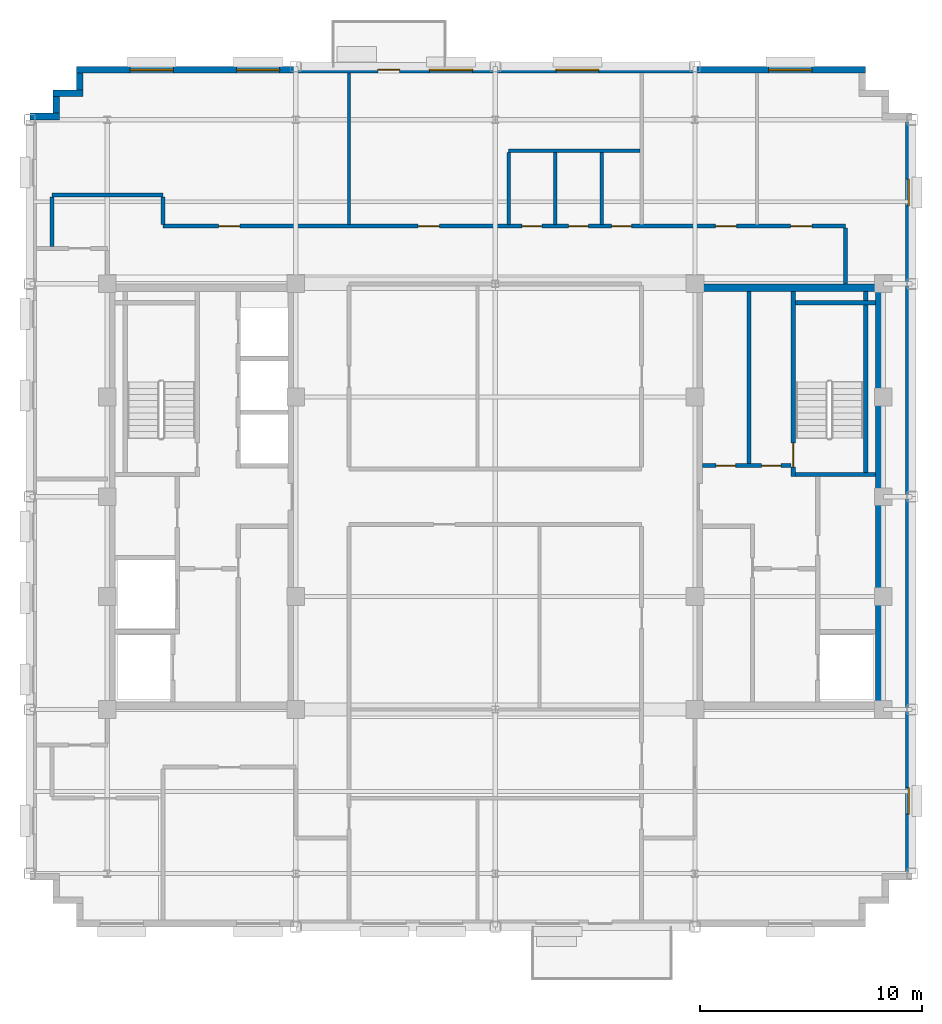
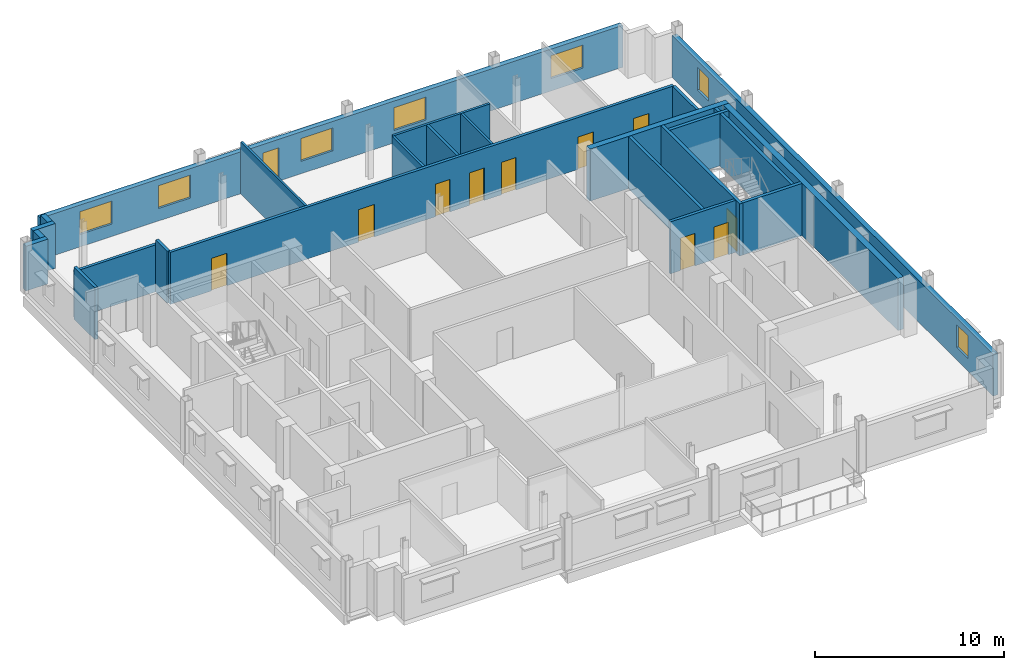
# One storey, part 8 of 13: 24 walls, 11 doors, 7 windows, 18 openings.
"""IFC4 building model written with IfcOpenShell, lengths in metres."""

from ifc_helpers import new_model, si_unit, direction, frame, frame_2d, origin, place, context, subcontext, project, spatial, rectangle, extrude, source, transform, mapped, material, layer, layer_set, type_object, type_shapes, element, fill, save


model = new_model("IFC4")

# Units and contexts
model_context = context("Model", 3, precision=1e-05, world=origin(), true_north=direction((0.0, 1.0)))
body_context = subcontext(model_context, "Body", "Model", "MODEL_VIEW")
ifc_project = project(units=[si_unit("LENGTHUNIT", "METRE"), si_unit("AREAUNIT", "SQUARE_METRE"), si_unit("VOLUMEUNIT", "CUBIC_METRE"), si_unit("PLANEANGLEUNIT", "RADIAN"), si_unit("MASSUNIT", "GRAM", prefix="KILO")], contexts=[model_context])

# Site, building, storey
site_placement = place(None, origin())
site = spatial("IfcSite", under=ifc_project, at=site_placement, CompositionType="ELEMENT")
building_placement = place(site_placement, origin())
building = spatial("IfcBuilding", under=site, at=building_placement, Name="Nuvemarco Arch Tower", CompositionType="ELEMENT")
storey_placement = place(building_placement, frame((0.0, 0.0, 279.85009765625)))
storey = spatial("IfcBuildingStorey", under=building, at=storey_placement, Name="L74", CompositionType="ELEMENT", Elevation=279.85009765625)

# Wall, openings, windows
ifc_material_1 = material(Name="Precast concrete C45/55", Category="concrete")
ifc_layer_1 = layer(ifc_material_1, 0.300048828125, Name="EW-HIGH-300")
ifc_layer_set_1 = layer_set([ifc_layer_1], Name="Precast concrete C45/55")
wall_type_1 = type_object("IfcWallType", Name="EW-HIGH-300", PredefinedType="STANDARD", material=ifc_layer_set_1)
wall_1_placement = place(storey_placement, frame((18.64990234375, -17.00390625, 0.0), z_axis=(0.0, 0.0, 1.0), x_axis=(0.0, 1.0, 0.0)))
wall_1 = element("IfcWall", 1, at=wall_1_placement, inside=storey, type_object=wall_type_1, Name="L74 exterior precast facade wall 6", PredefinedType="STANDARD", context=body_context, shape_type="SweptSolid", body=[
    extrude(rectangle(XDim=34.0078125, YDim=0.300048828125, at=frame_2d((17.00390625, 0.0))), origin(), (0.0, 0.0, 1.0), 2.704833984375),
])
opening_1_placement = place(wall_1_placement, frame((2.686279296875, 0.0, 0.800048828125)))
opening_1 = element("IfcOpeningElement", 2, at=opening_1_placement, cuts=wall_1, Name="Opening WN-8", PredefinedType="OPENING", context=body_context, shape_type="SweptSolid", body=[
    extrude(rectangle(XDim=1.199951171875, YDim=1.47998046875, at=frame_2d((0.60009765625, 0.739990234375))), frame((0.0, 0.159912109375, 0.0), z_axis=(0.0, -1.0, 0.0), x_axis=(1.0, 0.0, 0.0)), (0.0, 0.0, 1.0), 0.320068359375),
])
opening_2_placement = place(wall_1_placement, frame((30.12158203125, 0.0, 0.800048828125)))
opening_2 = element("IfcOpeningElement", 3, at=opening_2_placement, cuts=wall_1, Name="Opening WN-8", PredefinedType="OPENING", context=body_context, shape_type="SweptSolid", body=[
    extrude(rectangle(XDim=1.199951171875, YDim=1.47998046875, at=frame_2d((0.60009765625, 0.739990234375))), frame((0.0, 0.159912109375, 0.0), z_axis=(0.0, -1.0, 0.0), x_axis=(1.0, 0.0, 0.0)), (0.0, 0.0, 1.0), 0.320068359375),
])
ifc_material_2 = material(Name="Insulated solar-control glass", Category="glass")
window_type_1 = type_object("IfcWindowType", Name="WN-HIGH-1200x1480", PartitioningType="SINGLE_PANEL", PredefinedType="WINDOW", material=ifc_material_2)
shared_shape_1 = source(origin(), body_context, "Body", "SweptSolid", [
    extrude(rectangle(XDim=1.199951171875, YDim=1.47998046875, at=frame_2d((0.60009765625, 0.739990234375))), frame((0.0, 0.030029296875, 0.0), z_axis=(0.0, -1.0, 0.0), x_axis=(1.0, 0.0, 0.0)), (0.0, 0.0, 1.0), 0.06005859375),
])
type_shapes(window_type_1, [shared_shape_1])
window_1_placement = place(opening_1_placement, origin())
window_1 = element("IfcWindow", 4, at=window_1_placement, inside=storey, type_object=window_type_1, Name="L74 punched facade window 1", OverallHeight=1.47998046875, OverallWidth=1.199951171875, PartitioningType="SINGLE_PANEL", PredefinedType="WINDOW", context=body_context, shape_type="MappedRepresentation", body=[
    mapped(shared_shape_1, transform((0.0, 0.0, 0.0), scale=1.0)),
])
fill(opening_1, window_1)
window_2_placement = place(opening_2_placement, origin())
window_2 = element("IfcWindow", 5, at=window_2_placement, inside=storey, type_object=window_type_1, Name="L74 punched facade window 7", OverallHeight=1.47998046875, OverallWidth=1.199951171875, PartitioningType="SINGLE_PANEL", PredefinedType="WINDOW", context=body_context, shape_type="MappedRepresentation", body=[
    mapped(shared_shape_1, transform((0.0, 0.0, 0.0), scale=1.0)),
])
fill(opening_2, window_2)

# Wall, openings, door, windows
wall_2_placement = place(storey_placement, frame((-18.89990234375, 19.25, 0.0), z_axis=(0.0, 0.0, 1.0), x_axis=(1.0, 0.0, 0.0)))
wall_2 = element("IfcWall", 6, at=wall_2_placement, inside=storey, type_object=wall_type_1, Name="L74 exterior precast facade wall 11", PredefinedType="STANDARD", context=body_context, shape_type="SweptSolid", body=[
    extrude(rectangle(XDim=35.599853515625, YDim=0.300048828125, at=frame_2d((17.7998046875, 0.0))), origin(), (0.0, 0.0, 1.0), 2.704833984375),
])
opening_3_placement = place(wall_2_placement, frame((13.60009765625, 0.0, 0.0)))
opening_3 = element("IfcOpeningElement", 7, at=opening_3_placement, cuts=wall_2, Name="Opening ED-6", PredefinedType="OPENING", context=body_context, shape_type="SweptSolid", body=[
    extrude(rectangle(XDim=0.97998046875, YDim=2.14990234375, at=frame_2d((0.489990234375, 1.074951171875))), frame((0.0, 0.159912109375, 0.0), z_axis=(0.0, -1.0, 0.0), x_axis=(1.0, 0.0, 0.0)), (0.0, 0.0, 1.0), 0.320068359375),
])
opening_4_placement = place(wall_2_placement, frame((2.425048828125, 0.0, 0.800048828125)))
opening_4 = element("IfcOpeningElement", 8, at=opening_4_placement, cuts=wall_2, Name="Opening WN-7", PredefinedType="OPENING", context=body_context, shape_type="SweptSolid", body=[
    extrude(rectangle(XDim=1.949951171875, YDim=1.47998046875, at=frame_2d((0.97509765625, 0.739990234375))), frame((0.0, 0.159912109375, 0.0), z_axis=(0.0, -1.0, 0.0), x_axis=(1.0, 0.0, 0.0)), (0.0, 0.0, 1.0), 0.320068359375),
])
opening_5_placement = place(wall_2_placement, frame((7.22509765625, 0.0, 0.800048828125)))
opening_5 = element("IfcOpeningElement", 9, at=opening_5_placement, cuts=wall_2, Name="Opening WN-7", PredefinedType="OPENING", context=body_context, shape_type="SweptSolid", body=[
    extrude(rectangle(XDim=1.949951171875, YDim=1.47998046875, at=frame_2d((0.97509765625, 0.739990234375))), frame((0.0, 0.159912109375, 0.0), z_axis=(0.0, -1.0, 0.0), x_axis=(1.0, 0.0, 0.0)), (0.0, 0.0, 1.0), 0.320068359375),
])
opening_6_placement = place(wall_2_placement, frame((15.925048828125, 0.0, 0.800048828125)))
opening_6 = element("IfcOpeningElement", 10, at=opening_6_placement, cuts=wall_2, Name="Opening WN-7", PredefinedType="OPENING", context=body_context, shape_type="SweptSolid", body=[
    extrude(rectangle(XDim=1.949951171875, YDim=1.47998046875, at=frame_2d((0.97509765625, 0.739990234375))), frame((0.0, 0.159912109375, 0.0), z_axis=(0.0, -1.0, 0.0), x_axis=(1.0, 0.0, 0.0)), (0.0, 0.0, 1.0), 0.320068359375),
])
opening_7_placement = place(wall_2_placement, frame((21.625, 0.0, 0.800048828125)))
opening_7 = element("IfcOpeningElement", 11, at=opening_7_placement, cuts=wall_2, Name="Opening WN-7", PredefinedType="OPENING", context=body_context, shape_type="SweptSolid", body=[
    extrude(rectangle(XDim=1.949951171875, YDim=1.47998046875, at=frame_2d((0.97509765625, 0.739990234375))), frame((0.0, 0.159912109375, 0.0), z_axis=(0.0, -1.0, 0.0), x_axis=(1.0, 0.0, 0.0)), (0.0, 0.0, 1.0), 0.320068359375),
])
opening_8_placement = place(wall_2_placement, frame((31.22509765625, 0.0, 0.800048828125)))
opening_8 = element("IfcOpeningElement", 12, at=opening_8_placement, cuts=wall_2, Name="Opening WN-7", PredefinedType="OPENING", context=body_context, shape_type="SweptSolid", body=[
    extrude(rectangle(XDim=1.949951171875, YDim=1.47998046875, at=frame_2d((0.97509765625, 0.739990234375))), frame((0.0, 0.159912109375, 0.0), z_axis=(0.0, -1.0, 0.0), x_axis=(1.0, 0.0, 0.0)), (0.0, 0.0, 1.0), 0.320068359375),
])
ifc_material_3 = material(Name="Anodised bronze and laminated glass", Category="glass")
door_type_1 = type_object("IfcDoorType", Name="DR-EXT-BALC", OperationType="NOTDEFINED", PredefinedType="DOOR", material=ifc_material_3)
shared_shape_2 = source(origin(), body_context, "Body", "SweptSolid", [
    extrude(rectangle(XDim=0.97998046875, YDim=2.14990234375, at=frame_2d((0.489990234375, 1.074951171875))), frame((0.0, 0.02490234375, 0.0), z_axis=(0.0, -1.0, 0.0), x_axis=(1.0, 0.0, 0.0)), (0.0, 0.0, 1.0), 0.050048828125),
])
type_shapes(door_type_1, [shared_shape_2])
door_1_placement = place(opening_3_placement, origin())
door_1 = element("IfcDoor", 13, at=door_1_placement, inside=storey, type_object=door_type_1, Name="L74 tree balcony access door", OperationType="SINGLE_SWING_LEFT", OverallHeight=2.14990234375, OverallWidth=0.97998046875, PredefinedType="DOOR", context=body_context, shape_type="MappedRepresentation", body=[
    mapped(shared_shape_2, transform((0.0, 0.0, 0.0), scale=1.0)),
])
fill(opening_3, door_1)
window_type_2 = type_object("IfcWindowType", Name="WN-HIGH-1950x1480", PartitioningType="DOUBLE_PANEL_VERTICAL", PredefinedType="WINDOW", material=ifc_material_2)
shared_shape_3 = source(origin(), body_context, "Body", "SweptSolid", [
    extrude(rectangle(XDim=1.949951171875, YDim=1.47998046875, at=frame_2d((0.97509765625, 0.739990234375))), frame((0.0, 0.030029296875, 0.0), z_axis=(0.0, -1.0, 0.0), x_axis=(1.0, 0.0, 0.0)), (0.0, 0.0, 1.0), 0.06005859375),
])
type_shapes(window_type_2, [shared_shape_3])
window_3_placement = place(opening_4_placement, origin())
window_3 = element("IfcWindow", 14, at=window_3_placement, inside=storey, type_object=window_type_2, Name="L74 punched facade window 1", OverallHeight=1.47998046875, OverallWidth=1.949951171875, PartitioningType="SINGLE_PANEL", PredefinedType="WINDOW", context=body_context, shape_type="MappedRepresentation", body=[
    mapped(shared_shape_3, transform((0.0, 0.0, 0.0), scale=1.0)),
])
fill(opening_4, window_3)
window_4_placement = place(opening_5_placement, origin())
window_4 = element("IfcWindow", 15, at=window_4_placement, inside=storey, type_object=window_type_2, Name="L74 punched facade window 2", OverallHeight=1.47998046875, OverallWidth=1.949951171875, PartitioningType="SINGLE_PANEL", PredefinedType="WINDOW", context=body_context, shape_type="MappedRepresentation", body=[
    mapped(shared_shape_3, transform((0.0, 0.0, 0.0), scale=1.0)),
])
fill(opening_5, window_4)
window_5_placement = place(opening_6_placement, origin())
window_5 = element("IfcWindow", 16, at=window_5_placement, inside=storey, type_object=window_type_2, Name="L74 punched facade window 4", OverallHeight=1.47998046875, OverallWidth=1.949951171875, PartitioningType="SINGLE_PANEL", PredefinedType="WINDOW", context=body_context, shape_type="MappedRepresentation", body=[
    mapped(shared_shape_3, transform((0.0, 0.0, 0.0), scale=1.0)),
])
fill(opening_6, window_5)
window_6_placement = place(opening_7_placement, origin())
window_6 = element("IfcWindow", 17, at=window_6_placement, inside=storey, type_object=window_type_2, Name="L74 punched facade window 5", OverallHeight=1.47998046875, OverallWidth=1.949951171875, PartitioningType="SINGLE_PANEL", PredefinedType="WINDOW", context=body_context, shape_type="MappedRepresentation", body=[
    mapped(shared_shape_3, transform((0.0, 0.0, 0.0), scale=1.0)),
])
fill(opening_7, window_6)
window_7_placement = place(opening_8_placement, origin())
window_7 = element("IfcWindow", 18, at=window_7_placement, inside=storey, type_object=window_type_2, Name="L74 punched facade window 7", OverallHeight=1.47998046875, OverallWidth=1.949951171875, PartitioningType="SINGLE_PANEL", PredefinedType="WINDOW", context=body_context, shape_type="MappedRepresentation", body=[
    mapped(shared_shape_3, transform((0.0, 0.0, 0.0), scale=1.0)),
])
fill(opening_8, window_7)

# Walls
wall_3_placement = place(storey_placement, frame((-18.75, 18.345947265625, 0.0), z_axis=(0.0, 0.0, 1.0), x_axis=(0.0, 1.0, 0.0)))
element("IfcWall", 19, at=wall_3_placement, inside=storey, type_object=wall_type_1, Name="L74 exterior precast facade wall 12", PredefinedType="STANDARD", context=body_context, shape_type="SweptSolid", body=[
    extrude(rectangle(XDim=0.758056640625, YDim=0.300048828125, at=frame_2d((0.37890625, 0.0))), origin(), (0.0, 0.0, 1.0), 2.891845703125),
])
wall_4_placement = place(storey_placement, frame((-19.949951171875, 18.199951171875, 0.0), z_axis=(0.0, 0.0, 1.0), x_axis=(1.0, 0.0, 0.0)))
element("IfcWall", 20, at=wall_4_placement, inside=storey, type_object=wall_type_1, Name="L74 exterior precast facade wall 13", PredefinedType="STANDARD", context=body_context, shape_type="SweptSolid", body=[
    extrude(rectangle(XDim=1.349853515625, YDim=0.300048828125, at=frame_2d((0.6748046875, 0.0))), origin(), (0.0, 0.0, 1.0), 2.891845703125),
])
wall_5_placement = place(storey_placement, frame((-19.800048828125, 17.2958984375, 0.0), z_axis=(0.0, 0.0, 1.0), x_axis=(0.0, 1.0, 0.0)))
element("IfcWall", 21, at=wall_5_placement, inside=storey, type_object=wall_type_1, Name="L74 exterior precast facade wall 14", PredefinedType="STANDARD", context=body_context, shape_type="SweptSolid", body=[
    extrude(rectangle(XDim=0.758056640625, YDim=0.300048828125, at=frame_2d((0.37890625, 0.0))), origin(), (0.0, 0.0, 1.0), 2.891845703125),
])
wall_6_placement = place(storey_placement, frame((-21.0, 17.14990234375, 0.0), z_axis=(0.0, 0.0, 1.0), x_axis=(1.0, 0.0, 0.0)))
element("IfcWall", 22, at=wall_6_placement, inside=storey, type_object=wall_type_1, Name="L74 exterior precast facade wall 15", PredefinedType="STANDARD", context=body_context, shape_type="SweptSolid", body=[
    extrude(rectangle(XDim=1.35009765625, YDim=0.300048828125, at=frame_2d((0.675048828125, 0.0))), origin(), (0.0, 0.0, 1.0), 2.891845703125),
])
ifc_material_4 = material(Name="Concrete C50/60", Category="concrete")
ifc_layer_2 = layer(ifc_material_4, 0.35009765625, Name="WL-CORE-350")
ifc_layer_set_2 = layer_set([ifc_layer_2], Name="Concrete C50/60")
wall_type_2 = type_object("IfcWallType", Name="WL-CORE-350", PredefinedType="SHEAR", material=ifc_layer_set_2)
wall_7_placement = place(storey_placement, frame((9.0, 9.425048828125, 0.0), z_axis=(0.0, 0.0, 1.0), x_axis=(1.0, 0.0, 0.0)))
element("IfcWall", 23, at=wall_7_placement, inside=storey, type_object=wall_type_2, Name="L74 E-core shear wall N", PredefinedType="SHEAR", context=body_context, shape_type="SweptSolid", body=[
    extrude(rectangle(XDim=8.5, YDim=0.35009765625, at=frame_2d((4.25, 0.0))), origin(), (0.0, 0.0, 1.0), 3.369873046875),
])
wall_8_placement = place(storey_placement, frame((17.324951171875, -9.2548828125, 0.0), z_axis=(0.0, 0.0, 1.0), x_axis=(0.0, 1.0, 0.0)))
element("IfcWall", 24, at=wall_8_placement, inside=storey, type_object=wall_type_2, Name="L74 E-core shear wall E", PredefinedType="SHEAR", context=body_context, shape_type="SweptSolid", body=[
    extrude(rectangle(XDim=18.509765625, YDim=0.35009765625, at=frame_2d((9.2548828125, 0.0))), origin(), (0.0, 0.0, 1.0), 3.369873046875),
])

# Wall, openings, doors
ifc_material_5 = material(Name="Fire-rated gypsum drywall partition")
ifc_layer_3 = layer(ifc_material_5, 0.179931640625, Name="WL-CORR-180")
ifc_layer_set_3 = layer_set([ifc_layer_3], Name="Fire-rated gypsum drywall partition")
wall_type_3 = type_object("IfcWallType", Name="WL-CORR-180", PredefinedType="PARTITIONING", material=ifc_layer_set_3)
wall_9_placement = place(storey_placement, frame((9.344970703125, 1.39990234375, 0.0), z_axis=(0.0, 0.0, 1.0), x_axis=(1.0, 0.0, 0.0)))
wall_9 = element("IfcWall", 25, at=wall_9_placement, inside=storey, type_object=wall_type_3, Name="L74 interior wall IW-L74-EK-S", PredefinedType="PARTITIONING", context=body_context, shape_type="SweptSolid", body=[
    extrude(rectangle(XDim=4.0, YDim=0.179931640625, at=frame_2d((2.0, 0.0))), origin(), (0.0, 0.0, 1.0), 3.35986328125),
])
opening_9_placement = place(wall_9_placement, frame((0.614990234375, 0.0, 0.0)))
opening_9 = element("IfcOpeningElement", 26, at=opening_9_placement, cuts=wall_9, Name="Opening FD-4", PredefinedType="OPENING", context=body_context, shape_type="SweptSolid", body=[
    extrude(rectangle(XDim=0.8798828125, YDim=2.10009765625, at=frame_2d((0.43994140625, 1.050048828125))), frame((0.0, 0.099853515625, 0.0), z_axis=(0.0, -1.0, 0.0), x_axis=(1.0, 0.0, 0.0)), (0.0, 0.0, 1.0), 0.199951171875),
])
opening_10_placement = place(wall_9_placement, frame((2.6650390625, 0.0, 0.0)))
opening_10 = element("IfcOpeningElement", 27, at=opening_10_placement, cuts=wall_9, Name="Opening FD-4", PredefinedType="OPENING", context=body_context, shape_type="SweptSolid", body=[
    extrude(rectangle(XDim=0.8798828125, YDim=2.10009765625, at=frame_2d((0.43994140625, 1.050048828125))), frame((0.0, 0.099853515625, 0.0), z_axis=(0.0, -1.0, 0.0), x_axis=(1.0, 0.0, 0.0)), (0.0, 0.0, 1.0), 0.199951171875),
])
ifc_material_6 = material(Name="Anodised steel fire door", Category="steel")
door_type_2 = type_object("IfcDoorType", Name="DR-RISER-FD", OperationType="NOTDEFINED", PredefinedType="DOOR", material=ifc_material_6)
shared_shape_4 = source(origin(), body_context, "Body", "SweptSolid", [
    extrude(rectangle(XDim=0.8798828125, YDim=2.10009765625, at=frame_2d((0.43994140625, 1.050048828125))), frame((0.0, 0.02490234375, 0.0), z_axis=(0.0, -1.0, 0.0), x_axis=(1.0, 0.0, 0.0)), (0.0, 0.0, 1.0), 0.050048828125),
])
type_shapes(door_type_2, [shared_shape_4])
door_2_placement = place(opening_9_placement, origin())
door_2 = element("IfcDoor", 28, at=door_2_placement, inside=storey, type_object=door_type_2, Name="L74 door FD-L74-EK2A", OperationType="SINGLE_SWING_RIGHT", OverallHeight=2.10009765625, OverallWidth=0.8798828125, PredefinedType="DOOR", context=body_context, shape_type="MappedRepresentation", body=[
    mapped(shared_shape_4, transform((0.0, 0.0, 0.0), scale=1.0)),
])
fill(opening_9, door_2)
door_3_placement = place(opening_10_placement, origin())
door_3 = element("IfcDoor", 29, at=door_3_placement, inside=storey, type_object=door_type_2, Name="L74 door FD-L74-EK2B", OperationType="SINGLE_SWING_LEFT", OverallHeight=2.10009765625, OverallWidth=0.8798828125, PredefinedType="DOOR", context=body_context, shape_type="MappedRepresentation", body=[
    mapped(shared_shape_4, transform((0.0, 0.0, 0.0), scale=1.0)),
])
fill(opening_10, door_3)

# Wall
wall_10_placement = place(storey_placement, frame((11.449951171875, 1.489990234375, 0.0), z_axis=(0.0, 0.0, 1.0), x_axis=(0.0, 1.0, 0.0)))
element("IfcWall", 30, at=wall_10_placement, inside=storey, type_object=wall_type_3, Name="L74 interior wall IW-L74-EK2", PredefinedType="PARTITIONING", context=body_context, shape_type="SweptSolid", body=[
    extrude(rectangle(XDim=7.764892578125, YDim=0.179931640625, at=frame_2d((3.88232421875, 0.0))), origin(), (0.0, 0.0, 1.0), 3.35986328125),
])

# Wall, openings, doors
wall_11_placement = place(storey_placement, frame((-15.0, 12.199951171875, 0.0), z_axis=(0.0, 0.0, 1.0), x_axis=(1.0, 0.0, 0.0)))
wall_11 = element("IfcWall", 31, at=wall_11_placement, inside=storey, type_object=wall_type_3, Name="L74 interior wall IW-L74-015", PredefinedType="PARTITIONING", context=body_context, shape_type="SweptSolid", body=[
    extrude(rectangle(XDim=30.800048828125, YDim=0.179931640625, at=frame_2d((15.39990234375, 0.0))), origin(), (0.0, 0.0, 1.0), 3.35986328125),
])
opening_11_placement = place(wall_11_placement, frame((11.52001953125, 0.0, 0.0)))
opening_11 = element("IfcOpeningElement", 32, at=opening_11_placement, cuts=wall_11, Name="Opening FD-5", PredefinedType="OPENING", context=body_context, shape_type="SweptSolid", body=[
    extrude(rectangle(XDim=0.9599609375, YDim=2.10009765625, at=frame_2d((0.47998046875, 1.050048828125))), frame((0.0, 0.099853515625, 0.0), z_axis=(0.0, -1.0, 0.0), x_axis=(1.0, 0.0, 0.0)), (0.0, 0.0, 1.0), 0.199951171875),
])
opening_12_placement = place(wall_11_placement, frame((2.52001953125, 0.0, 0.0)))
opening_12 = element("IfcOpeningElement", 33, at=opening_12_placement, cuts=wall_11, Name="Opening FD-5", PredefinedType="OPENING", context=body_context, shape_type="SweptSolid", body=[
    extrude(rectangle(XDim=0.9599609375, YDim=2.10009765625, at=frame_2d((0.47998046875, 1.050048828125))), frame((0.0, 0.099853515625, 0.0), z_axis=(0.0, -1.0, 0.0), x_axis=(1.0, 0.0, 0.0)), (0.0, 0.0, 1.0), 0.199951171875),
])
opening_13_placement = place(wall_11_placement, frame((28.320068359375, 0.0, 0.0)))
opening_13 = element("IfcOpeningElement", 34, at=opening_13_placement, cuts=wall_11, Name="Opening FD-5", PredefinedType="OPENING", context=body_context, shape_type="SweptSolid", body=[
    extrude(rectangle(XDim=0.9599609375, YDim=2.10009765625, at=frame_2d((0.47998046875, 1.050048828125))), frame((0.0, 0.099853515625, 0.0), z_axis=(0.0, -1.0, 0.0), x_axis=(1.0, 0.0, 0.0)), (0.0, 0.0, 1.0), 0.199951171875),
])
opening_14_placement = place(wall_11_placement, frame((24.919921875, 0.0, 0.0)))
opening_14 = element("IfcOpeningElement", 35, at=opening_14_placement, cuts=wall_11, Name="Opening FD-5", PredefinedType="OPENING", context=body_context, shape_type="SweptSolid", body=[
    extrude(rectangle(XDim=0.9599609375, YDim=2.10009765625, at=frame_2d((0.47998046875, 1.050048828125))), frame((0.0, 0.099853515625, 0.0), z_axis=(0.0, -1.0, 0.0), x_axis=(1.0, 0.0, 0.0)), (0.0, 0.0, 1.0), 0.199951171875),
])
opening_15_placement = place(wall_11_placement, frame((16.199951171875, 0.0, 0.0)))
opening_15 = element("IfcOpeningElement", 36, at=opening_15_placement, cuts=wall_11, Name="Opening ID-3", PredefinedType="OPENING", context=body_context, shape_type="SweptSolid", body=[
    extrude(rectangle(XDim=0.89990234375, YDim=2.10009765625, at=frame_2d((0.449951171875, 1.050048828125))), frame((0.0, 0.099853515625, 0.0), z_axis=(0.0, -1.0, 0.0), x_axis=(1.0, 0.0, 0.0)), (0.0, 0.0, 1.0), 0.199951171875),
])
opening_16_placement = place(wall_11_placement, frame((18.300048828125, 0.0, 0.0)))
opening_16 = element("IfcOpeningElement", 37, at=opening_16_placement, cuts=wall_11, Name="Opening ID-3", PredefinedType="OPENING", context=body_context, shape_type="SweptSolid", body=[
    extrude(rectangle(XDim=0.89990234375, YDim=2.10009765625, at=frame_2d((0.449951171875, 1.050048828125))), frame((0.0, 0.099853515625, 0.0), z_axis=(0.0, -1.0, 0.0), x_axis=(1.0, 0.0, 0.0)), (0.0, 0.0, 1.0), 0.199951171875),
])
opening_17_placement = place(wall_11_placement, frame((20.25, 0.0, 0.0)))
opening_17 = element("IfcOpeningElement", 38, at=opening_17_placement, cuts=wall_11, Name="Opening ID-3", PredefinedType="OPENING", context=body_context, shape_type="SweptSolid", body=[
    extrude(rectangle(XDim=0.89990234375, YDim=2.10009765625, at=frame_2d((0.449951171875, 1.050048828125))), frame((0.0, 0.099853515625, 0.0), z_axis=(0.0, -1.0, 0.0), x_axis=(1.0, 0.0, 0.0)), (0.0, 0.0, 1.0), 0.199951171875),
])
ifc_material_7 = material(Name="Timber fire door", Category="wood")
door_type_3 = type_object("IfcDoorType", Name="DR-CORR-FD", OperationType="NOTDEFINED", PredefinedType="DOOR", material=ifc_material_7)
shared_shape_5 = source(origin(), body_context, "Body", "SweptSolid", [
    extrude(rectangle(XDim=0.9599609375, YDim=2.10009765625, at=frame_2d((0.47998046875, 1.050048828125))), frame((0.0, 0.02490234375, 0.0), z_axis=(0.0, -1.0, 0.0), x_axis=(1.0, 0.0, 0.0)), (0.0, 0.0, 1.0), 0.050048828125),
])
type_shapes(door_type_3, [shared_shape_5])
door_4_placement = place(opening_11_placement, origin())
door_4 = element("IfcDoor", 39, at=door_4_placement, inside=storey, type_object=door_type_3, Name="L74 door DR-L74-N_2", OperationType="SINGLE_SWING_RIGHT", OverallHeight=2.10009765625, OverallWidth=0.9599609375, PredefinedType="DOOR", context=body_context, shape_type="MappedRepresentation", body=[
    mapped(shared_shape_5, transform((0.0, 0.0, 0.0), scale=1.0)),
])
fill(opening_11, door_4)
door_5_placement = place(opening_12_placement, origin())
door_5 = element("IfcDoor", 40, at=door_5_placement, inside=storey, type_object=door_type_3, Name="L74 door DR-L74-N_1", OperationType="SINGLE_SWING_LEFT", OverallHeight=2.10009765625, OverallWidth=0.9599609375, PredefinedType="DOOR", context=body_context, shape_type="MappedRepresentation", body=[
    mapped(shared_shape_5, transform((0.0, 0.0, 0.0), scale=1.0)),
])
fill(opening_12, door_5)
door_6_placement = place(opening_13_placement, origin())
door_6 = element("IfcDoor", 41, at=door_6_placement, inside=storey, type_object=door_type_3, Name="L74 door DR-L74-N_4", OperationType="SINGLE_SWING_LEFT", OverallHeight=2.10009765625, OverallWidth=0.9599609375, PredefinedType="DOOR", context=body_context, shape_type="MappedRepresentation", body=[
    mapped(shared_shape_5, transform((0.0, 0.0, 0.0), scale=1.0)),
])
fill(opening_13, door_6)
door_7_placement = place(opening_14_placement, origin())
door_7 = element("IfcDoor", 42, at=door_7_placement, inside=storey, type_object=door_type_3, Name="L74 door DR-L74-N_3", OperationType="SINGLE_SWING_LEFT", OverallHeight=2.10009765625, OverallWidth=0.9599609375, PredefinedType="DOOR", context=body_context, shape_type="MappedRepresentation", body=[
    mapped(shared_shape_5, transform((0.0, 0.0, 0.0), scale=1.0)),
])
fill(opening_14, door_7)
ifc_material_8 = material(Name="Veneered oak timber fire door", Category="wood")
door_type_4 = type_object("IfcDoorType", Name="DR-WC-ACC", OperationType="NOTDEFINED", PredefinedType="DOOR", material=ifc_material_8)
shared_shape_6 = source(origin(), body_context, "Body", "SweptSolid", [
    extrude(rectangle(XDim=0.89990234375, YDim=2.10009765625, at=frame_2d((0.449951171875, 1.050048828125))), frame((0.0, 0.02490234375, 0.0), z_axis=(0.0, -1.0, 0.0), x_axis=(1.0, 0.0, 0.0)), (0.0, 0.0, 1.0), 0.050048828125),
])
type_shapes(door_type_4, [shared_shape_6])
door_8_placement = place(opening_15_placement, origin())
door_8 = element("IfcDoor", 43, at=door_8_placement, inside=storey, type_object=door_type_4, Name="L74 door DR-L74-WC_M", OperationType="SINGLE_SWING_RIGHT", OverallHeight=2.10009765625, OverallWidth=0.89990234375, PredefinedType="DOOR", context=body_context, shape_type="MappedRepresentation", body=[
    mapped(shared_shape_6, transform((0.0, 0.0, 0.0), scale=1.0)),
])
fill(opening_15, door_8)
door_9_placement = place(opening_16_placement, origin())
door_9 = element("IfcDoor", 44, at=door_9_placement, inside=storey, type_object=door_type_4, Name="L74 door DR-L74-WC_F", OperationType="SINGLE_SWING_LEFT", OverallHeight=2.10009765625, OverallWidth=0.89990234375, PredefinedType="DOOR", context=body_context, shape_type="MappedRepresentation", body=[
    mapped(shared_shape_6, transform((0.0, 0.0, 0.0), scale=1.0)),
])
fill(opening_16, door_9)
door_10_placement = place(opening_17_placement, origin())
door_10 = element("IfcDoor", 45, at=door_10_placement, inside=storey, type_object=door_type_4, Name="L74 door DR-L74-WC_ACC", OperationType="SINGLE_SWING_RIGHT", OverallHeight=2.10009765625, OverallWidth=0.89990234375, PredefinedType="DOOR", context=body_context, shape_type="MappedRepresentation", body=[
    mapped(shared_shape_6, transform((0.0, 0.0, 0.0), scale=1.0)),
])
fill(opening_17, door_10)

# Walls
wall_12_placement = place(storey_placement, frame((-20.0, 13.60009765625, 0.0), z_axis=(0.0, 0.0, 1.0), x_axis=(1.0, 0.0, 0.0)))
element("IfcWall", 46, at=wall_12_placement, inside=storey, type_object=wall_type_3, Name="L74 interior wall IW-L74-016", PredefinedType="PARTITIONING", context=body_context, shape_type="SweptSolid", body=[
    extrude(rectangle(XDim=5.0, YDim=0.179931640625, at=frame_2d((2.5, 0.0))), origin(), (0.0, 0.0, 1.0), 3.037841796875),
])
wall_13_placement = place(storey_placement, frame((-20.0, 11.285888671875, 0.0), z_axis=(0.0, 0.0, 1.0), x_axis=(0.0, 1.0, 0.0)))
element("IfcWall", 47, at=wall_13_placement, inside=storey, type_object=wall_type_3, Name="L74 interior wall IW-L74-019", PredefinedType="PARTITIONING", context=body_context, shape_type="SweptSolid", body=[
    extrude(rectangle(XDim=2.22802734375, YDim=0.179931640625, at=frame_2d((1.114013671875, 0.0))), origin(), (0.0, 0.0, 1.0), 3.35986328125),
])
wall_14_placement = place(storey_placement, frame((-15.0, 12.285888671875, 0.0), z_axis=(0.0, 0.0, 1.0), x_axis=(0.0, 1.0, 0.0)))
element("IfcWall", 48, at=wall_14_placement, inside=storey, type_object=wall_type_3, Name="L74 interior wall IW-L74-023", PredefinedType="PARTITIONING", context=body_context, shape_type="SweptSolid", body=[
    extrude(rectangle(XDim=1.22802734375, YDim=0.179931640625, at=frame_2d((0.614013671875, 0.0))), origin(), (0.0, 0.0, 1.0), 3.35986328125),
])
wall_15_placement = place(storey_placement, frame((15.800048828125, 9.60009765625, 0.0), z_axis=(0.0, 0.0, 1.0), x_axis=(0.0, 1.0, 0.0)))
element("IfcWall", 49, at=wall_15_placement, inside=storey, type_object=wall_type_3, Name="L74 interior wall IW-L74-039", PredefinedType="PARTITIONING", context=body_context, shape_type="SweptSolid", body=[
    extrude(rectangle(XDim=2.513916015625, YDim=0.179931640625, at=frame_2d((1.2568359375, 0.0))), origin(), (0.0, 0.0, 1.0), 3.35986328125),
])
ifc_material_9 = material(Name="Glazed acoustic office partition")
ifc_layer_4 = layer(ifc_material_9, 0.1298828125, Name="WL-EXEC-130")
ifc_layer_set_4 = layer_set([ifc_layer_4], Name="Glazed acoustic office partition")
wall_type_4 = type_object("IfcWallType", Name="WL-EXEC-130", PredefinedType="PARTITIONING", material=ifc_layer_set_4)
wall_16_placement = place(storey_placement, frame((-6.60009765625, 12.285888671875, 0.0), z_axis=(0.0, 0.0, 1.0), x_axis=(0.0, 1.0, 0.0)))
element("IfcWall", 50, at=wall_16_placement, inside=storey, type_object=wall_type_4, Name="L74 interior wall IW-L74-027", PredefinedType="PARTITIONING", context=body_context, shape_type="SweptSolid", body=[
    extrude(rectangle(XDim=6.814208984375, YDim=0.1298828125, at=frame_2d((3.4072265625, 0.0))), origin(), (0.0, 0.0, 1.0), 3.35986328125),
])

# Wall, opening, door
ifc_layer_5 = layer(ifc_material_4, 0.199951171875, Name="WL-SHAFT-220")
ifc_layer_set_5 = layer_set([ifc_layer_5], Name="Concrete C50/60")
wall_type_5 = type_object("IfcWallType", Name="WL-SHAFT-220", PredefinedType="SHEAR", material=ifc_layer_set_5)
wall_17_placement = place(storey_placement, frame((13.43994140625, 0.89990234375, 0.0), z_axis=(0.0, 0.0, 1.0), x_axis=(0.0, 1.0, 0.0)))
wall_17 = element("IfcWall", 51, at=wall_17_placement, inside=storey, type_object=wall_type_5, Name="L74 structural shaft wall SW-L74-E-ST2W", PredefinedType="SHEAR", context=body_context, shape_type="SweptSolid", body=[
    extrude(rectangle(XDim=8.35498046875, YDim=0.199951171875, at=frame_2d((4.177490234375, 0.0))), origin(), (0.0, 0.0, 1.0), 3.369873046875),
])
opening_18_placement = place(wall_17_placement, frame((0.429931640625, 0.0, 0.0)))
opening_18 = element("IfcOpeningElement", 52, at=opening_18_placement, cuts=wall_17, Name="Opening FD-1", PredefinedType="OPENING", context=body_context, shape_type="SweptSolid", body=[
    extrude(rectangle(XDim=1.10009765625, YDim=2.14990234375, at=frame_2d((0.550048828125, 1.074951171875))), frame((0.0, 0.10986328125, 0.0), z_axis=(0.0, -1.0, 0.0), x_axis=(1.0, 0.0, 0.0)), (0.0, 0.0, 1.0), 0.219970703125),
])
door_type_5 = type_object("IfcDoorType", Name="DR-STAIR-FD", OperationType="NOTDEFINED", PredefinedType="DOOR", material=ifc_material_6)
shared_shape_7 = source(origin(), body_context, "Body", "SweptSolid", [
    extrude(rectangle(XDim=1.10009765625, YDim=2.14990234375, at=frame_2d((0.550048828125, 1.074951171875))), frame((0.0, 0.02490234375, 0.0), z_axis=(0.0, -1.0, 0.0), x_axis=(1.0, 0.0, 0.0)), (0.0, 0.0, 1.0), 0.050048828125),
])
type_shapes(door_type_5, [shared_shape_7])
door_11_placement = place(opening_18_placement, origin())
door_11 = element("IfcDoor", 53, at=door_11_placement, inside=storey, type_object=door_type_5, Name="L74 door FD-L74-ST2", OperationType="SINGLE_SWING_LEFT", OverallHeight=2.14990234375, OverallWidth=1.10009765625, PredefinedType="DOOR", context=body_context, shape_type="MappedRepresentation", body=[
    mapped(shared_shape_7, transform((0.0, 0.0, 0.0), scale=1.0)),
])
fill(opening_18, door_11)

# Walls
for number, where, z_axis, x_axis, name in (
    (54, (13.534912109375, 1.0, 0.0), (0.0, 0.0, 1.0), (1.0, 0.0, 0.0), "L74 structural shaft wall SW-L74-E-ST2S"),
    (55, (13.534912109375, 8.75, 0.0), (0.0, 0.0, 1.0), (1.0, 0.0, 0.0), "L74 structural shaft wall SW-L74-E-ST2N"),
):
    element("IfcWall", number, at=place(storey_placement, frame(where, z_axis=z_axis, x_axis=x_axis)), inside=storey, type_object=wall_type_5, Name=name, PredefinedType="SHEAR", context=body_context, shape_type="SweptSolid", body=[
        extrude(rectangle(XDim=3.6201171875, YDim=0.199951171875, at=frame_2d((1.81005859375, 0.0))), origin(), (0.0, 0.0, 1.0), 3.369873046875),
    ])
wall_18_placement = place(storey_placement, frame((16.699951171875, 1.094970703125, 0.0), z_axis=(0.0, 0.0, 1.0), x_axis=(0.0, 1.0, 0.0)))
element("IfcWall", 56, at=wall_18_placement, inside=storey, type_object=wall_type_5, Name="L74 structural shaft wall SW-L74-E-ST2E", PredefinedType="SHEAR", context=body_context, shape_type="SweptSolid", body=[
    extrude(rectangle(XDim=8.159912109375, YDim=0.199951171875, at=frame_2d((4.080078125, 0.0))), origin(), (0.0, 0.0, 1.0), 3.369873046875),
])
ifc_material_10 = material(Name="Moisture-resistant gypsum partition")
ifc_layer_6 = layer(ifc_material_10, 0.14990234375, Name="WL-WET-150")
ifc_layer_set_6 = layer_set([ifc_layer_6], Name="Moisture-resistant gypsum partition")
wall_type_6 = type_object("IfcWallType", Name="WL-WET-150", PredefinedType="PARTITIONING", material=ifc_layer_set_6)
wall_19_placement = place(storey_placement, frame((0.60009765625, 15.60009765625, 0.0), z_axis=(0.0, 0.0, 1.0), x_axis=(1.0, 0.0, 0.0)))
element("IfcWall", 57, at=wall_19_placement, inside=storey, type_object=wall_type_6, Name="L74 interior wall IW-L74-017", PredefinedType="PARTITIONING", context=body_context, shape_type="SweptSolid", body=[
    extrude(rectangle(XDim=5.928955078125, YDim=0.14990234375, at=frame_2d((2.96435546875, 0.0))), origin(), (0.0, 0.0, 1.0), 3.35986328125),
])
for number, where, z_axis, x_axis, name in (
    (58, (0.60009765625, 12.285888671875, 0.0), (0.0, 0.0, 1.0), (0.0, 1.0, 0.0), "L74 interior wall IW-L74-030"),
    (59, (2.699951171875, 12.285888671875, 0.0), (0.0, 0.0, 1.0), (0.0, 1.0, 0.0), "L74 interior wall IW-L74-032"),
    (60, (4.800048828125, 12.285888671875, 0.0), (0.0, 0.0, 1.0), (0.0, 1.0, 0.0), "L74 interior wall IW-L74-033"),
):
    element("IfcWall", number, at=place(storey_placement, frame(where, z_axis=z_axis, x_axis=x_axis)), inside=storey, type_object=wall_type_6, Name=name, PredefinedType="PARTITIONING", context=body_context, shape_type="SweptSolid", body=[
        extrude(rectangle(XDim=3.2431640625, YDim=0.14990234375, at=frame_2d((1.62158203125, 0.0))), origin(), (0.0, 0.0, 1.0), 3.35986328125),
    ])

save(model, "model.ifc")
